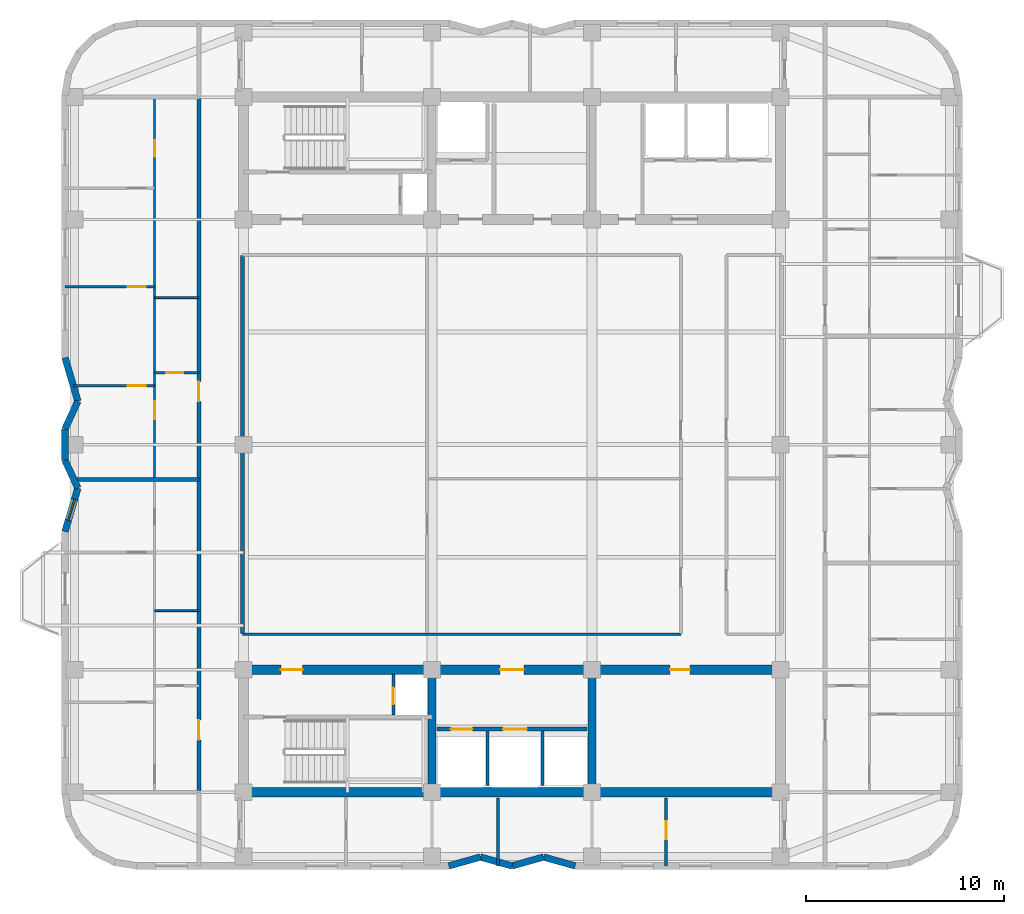
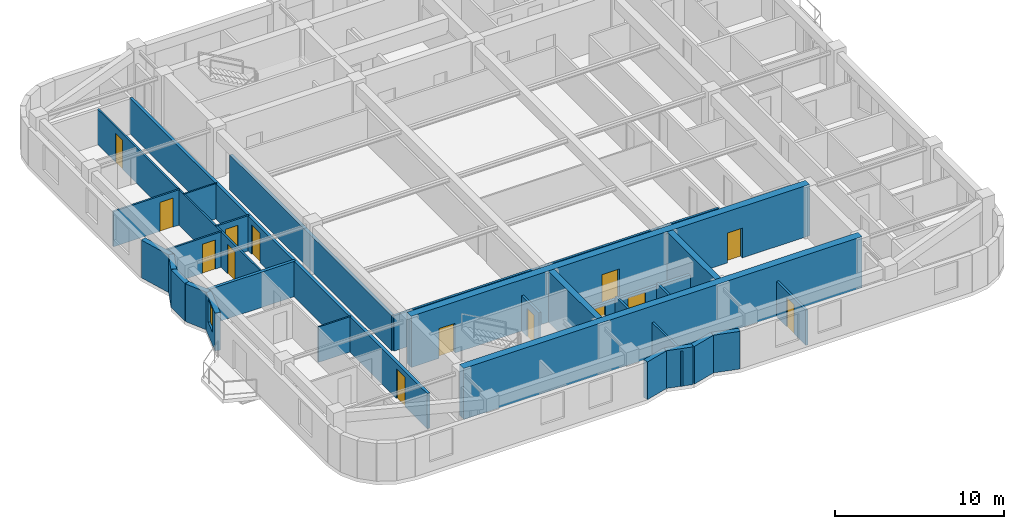
# One storey, part 3 of 9: 29 walls, 14 doors, 1 window, 15 openings.
"""IFC4 building model written with IfcOpenShell, lengths in metres."""

from ifc_helpers import new_model, si_unit, direction, frame, frame_2d, origin, place, context, subcontext, project, spatial, rectangle, extrude, material, layer, layer_set, type_object, element, fill, save


model = new_model("IFC4")

# Units and contexts
model_context = context("Model", 3, precision=1e-05, world=origin(), true_north=direction((0.0, 1.0)))
body_context = subcontext(model_context, "Body", "Model", "MODEL_VIEW")
ifc_project = project(units=[si_unit("LENGTHUNIT", "METRE"), si_unit("AREAUNIT", "SQUARE_METRE"), si_unit("VOLUMEUNIT", "CUBIC_METRE"), si_unit("PLANEANGLEUNIT", "RADIAN"), si_unit("MASSUNIT", "GRAM", prefix="KILO")], contexts=[model_context])

# Site, building, storey
site_placement = place(None, origin())
site = spatial("IfcSite", under=ifc_project, at=site_placement, CompositionType="ELEMENT")
building_placement = place(site_placement, origin())
building = spatial("IfcBuilding", under=site, at=building_placement, Name="Svetorya Sky Lyceum", CompositionType="ELEMENT")
storey_placement = place(building_placement, frame((0.0, 0.0, 207.300048828125)))
storey = spatial("IfcBuildingStorey", under=building, at=storey_placement, Name="L51", CompositionType="ELEMENT", Elevation=207.300048828125)

# Walls
ifc_material_1 = material(Name="Concrete C40/50", Category="concrete")
ifc_layer_1 = layer(ifc_material_1, 0.39990234375)
ifc_layer_set_1 = layer_set([ifc_layer_1], Name="Concrete C40/50")
wall_type_1 = type_object("IfcWallType", Name="WL-CORE-400", PredefinedType="SHEAR", material=ifc_layer_set_1)
for number, where, z_axis, x_axis, name in (
    (1, (35.14990234375, 10.85009765625, 0.0), (0.0, 0.0, 1.0), (0.0, 1.0, 0.0), "L51 SC Internal Shear Web WEB1"),
    (2, (43.25, 10.85009765625, 0.0), (0.0, 0.0, 1.0), (0.0, 1.0, 0.0), "L51 SC Internal Shear Web WEB2"),
):
    element("IfcWall", number, at=place(storey_placement, frame(where, z_axis=z_axis, x_axis=x_axis)), inside=storey, type_object=wall_type_1, Name=name, PredefinedType="SHEAR", context=body_context, shape_type="SweptSolid", body=[
        extrude(rectangle(XDim=5.699951171875, YDim=0.39990234375, at=frame_2d((2.85009765625, 0.0))), origin(), (0.0, 0.0, 1.0), 3.699951171875),
    ])
ifc_material_2 = material(Name="Concrete C50/60", Category="concrete")
ifc_layer_2 = layer(ifc_material_2, 0.5)
ifc_layer_set_2 = layer_set([ifc_layer_2], Name="Concrete C50/60")
wall_type_2 = type_object("IfcWallType", Name="WL-CORE-500", PredefinedType="SHEAR", material=ifc_layer_set_2)
wall_1_placement = place(storey_placement, frame((52.800048828125, 10.60009765625, 0.0), z_axis=(0.0, 0.0, 1.0), x_axis=(-1.0, 0.0, 0.0)))
element("IfcWall", 3, at=wall_1_placement, inside=storey, type_object=wall_type_2, Name="L51 SC Outer Core Shear Wall", PredefinedType="SHEAR", context=body_context, shape_type="SweptSolid", body=[
    extrude(rectangle(XDim=27.199951171875, YDim=0.5, at=frame_2d((13.60009765625, 0.0))), origin(), (0.0, 0.0, 1.0), 3.699951171875),
])

# Wall, openings, doors
wall_2_placement = place(storey_placement, frame((25.60009765625, 16.800048828125, 0.0), z_axis=(0.0, 0.0, 1.0), x_axis=(1.0, 0.0, 0.0)))
wall_2 = element("IfcWall", 4, at=wall_2_placement, inside=storey, type_object=wall_type_2, Name="L51 SC Inner Core Shear Wall", PredefinedType="SHEAR", context=body_context, shape_type="SweptSolid", body=[
    extrude(rectangle(XDim=27.199951171875, YDim=0.5, at=frame_2d((13.60009765625, 0.0))), origin(), (0.0, 0.0, 1.0), 3.699951171875),
])
opening_1_placement = place(wall_2_placement, frame((1.89990234375, 0.0, 0.0)))
opening_1 = element("IfcOpeningElement", 5, at=opening_1_placement, cuts=wall_2, Name="Opening D-ST1", PredefinedType="OPENING", context=body_context, shape_type="SweptSolid", body=[
    extrude(rectangle(XDim=1.10009765625, YDim=2.14990234375, at=frame_2d((0.550048828125, 1.074951171875))), frame((0.0, 0.260009765625, 0.0), z_axis=(0.0, -1.0, 0.0), x_axis=(1.0, 0.0, 0.0)), (0.0, 0.0, 1.0), 0.52001953125),
])
opening_2_placement = place(wall_2_placement, frame((13.0, 0.0, 0.0)))
opening_2 = element("IfcOpeningElement", 6, at=opening_2_placement, cuts=wall_2, Name="Opening D-FL1", PredefinedType="OPENING", context=body_context, shape_type="SweptSolid", body=[
    extrude(rectangle(XDim=1.199951171875, YDim=2.14990234375, at=frame_2d((0.60009765625, 1.074951171875))), frame((0.0, 0.260009765625, 0.0), z_axis=(0.0, -1.0, 0.0), x_axis=(1.0, 0.0, 0.0)), (0.0, 0.0, 1.0), 0.52001953125),
])
opening_3_placement = place(wall_2_placement, frame((21.60009765625, 0.0, 0.0)))
opening_3 = element("IfcOpeningElement", 7, at=opening_3_placement, cuts=wall_2, Name="Opening D-RM2", PredefinedType="OPENING", context=body_context, shape_type="SweptSolid", body=[
    extrude(rectangle(XDim=1.0, YDim=2.14990234375, at=frame_2d((0.5, 1.074951171875))), frame((0.0, 0.260009765625, 0.0), z_axis=(0.0, -1.0, 0.0), x_axis=(1.0, 0.0, 0.0)), (0.0, 0.0, 1.0), 0.52001953125),
])
ifc_material_3 = material(Name="Powder-coated insulated galvanized stair fire door")
door_type_1 = type_object("IfcDoorType", Name="DR-FIRE-1100", OperationType="SINGLE_SWING_LEFT", PredefinedType="DOOR", material=ifc_material_3)
door_1_placement = place(opening_1_placement, origin())
door_1 = element("IfcDoor", 8, at=door_1_placement, inside=storey, type_object=door_type_1, Name="L51 South Stair Airlock Door", OperationType="SINGLE_SWING_RIGHT", OverallHeight=2.14990234375, OverallWidth=1.10009765625, PredefinedType="DOOR", context=body_context, shape_type="SweptSolid", body=[
    extrude(rectangle(XDim=1.10009765625, YDim=2.14990234375, at=frame_2d((0.550048828125, 1.074951171875))), frame((0.0, 0.02490234375, 0.0), z_axis=(0.0, -1.0, 0.0), x_axis=(1.0, 0.0, 0.0)), (0.0, 0.0, 1.0), 0.050048828125),
])
fill(opening_1, door_1)
ifc_material_4 = material(Name="Powder-coated insulated galvanized fire door")
door_type_2 = type_object("IfcDoorType", Name="DR-FIRE-1200", OperationType="SINGLE_SWING_LEFT", PredefinedType="DOOR", material=ifc_material_4)
door_2_placement = place(opening_2_placement, origin())
door_2 = element("IfcDoor", 9, at=door_2_placement, inside=storey, type_object=door_type_2, Name="L51 South Firefighting Lift Lobby Door", OperationType="SINGLE_SWING_LEFT", OverallHeight=2.14990234375, OverallWidth=1.199951171875, PredefinedType="DOOR", context=body_context, shape_type="SweptSolid", body=[
    extrude(rectangle(XDim=1.199951171875, YDim=2.14990234375, at=frame_2d((0.60009765625, 1.074951171875))), frame((0.0, 0.02490234375, 0.0), z_axis=(0.0, -1.0, 0.0), x_axis=(1.0, 0.0, 0.0)), (0.0, 0.0, 1.0), 0.050048828125),
])
fill(opening_2, door_2)
ifc_material_5 = material(Name="Solid-core oak acoustic room door")
door_type_3 = type_object("IfcDoorType", Name="DR-INT-1000", OperationType="SINGLE_SWING_LEFT", PredefinedType="DOOR", material=ifc_material_5)
door_3_placement = place(opening_3_placement, origin())
door_3 = element("IfcDoor", 10, at=door_3_placement, inside=storey, type_object=door_type_3, Name="L51 Trunk Store Door", OperationType="SINGLE_SWING_LEFT", OverallHeight=2.14990234375, OverallWidth=1.0, PredefinedType="DOOR", context=body_context, shape_type="SweptSolid", body=[
    extrude(rectangle(XDim=1.0, YDim=2.14990234375, at=frame_2d((0.5, 1.074951171875))), frame((0.0, 0.02490234375, 0.0), z_axis=(0.0, -1.0, 0.0), x_axis=(1.0, 0.0, 0.0)), (0.0, 0.0, 1.0), 0.050048828125),
])
fill(opening_3, door_3)

# Walls
ifc_material_6 = material(Name="Putilovo limestone rainscreen on autoclaved cellular masonry", Category="masonry")
ifc_layer_3 = layer(ifc_material_6, 0.340087890625)
ifc_layer_set_3 = layer_set([ifc_layer_3], Name="Putilovo limestone rainscreen on autoclaved cellular masonry")
wall_type_3 = type_object("IfcWallType", Name="WL-EXT-340", PredefinedType="SOLIDWALL", material=ifc_layer_set_3)
wall_3_placement = place(storey_placement, frame((36.0, 6.8701171875, 0.0), z_axis=(0.0, 0.0, 1.0), x_axis=(0.962662902433, 0.270703040766, 0.0)))
element("IfcWall", 11, at=wall_3_placement, inside=storey, type_object=wall_type_3, Name="L51 Limestone Exterior Wall 7M", PredefinedType="SOLIDWALL", context=body_context, shape_type="SweptSolid", body=[
    extrude(rectangle(XDim=1.662109375, YDim=0.340087890625, at=frame_2d((0.8310546875, 0.0))), origin(), (0.0, 0.0, 1.0), 2.719970703125),
])
wall_4_placement = place(storey_placement, frame((37.60009765625, 7.320068359375, 0.0), z_axis=(0.0, 0.0, 1.0), x_axis=(0.962652136636, -0.270741322725, 0.0)))
element("IfcWall", 12, at=wall_4_placement, inside=storey, type_object=wall_type_3, Name="L51 Limestone Exterior Wall 8M", PredefinedType="SOLIDWALL", context=body_context, shape_type="SweptSolid", body=[
    extrude(rectangle(XDim=1.661865234375, YDim=0.340087890625, at=frame_2d((0.8310546875, 0.0))), origin(), (0.0, 0.0, 1.0), 2.719970703125),
])
wall_5_placement = place(storey_placement, frame((39.199951171875, 6.8701171875, 0.0), z_axis=(0.0, 0.0, 1.0), x_axis=(0.962662902433, 0.270703040766, 0.0)))
element("IfcWall", 13, at=wall_5_placement, inside=storey, type_object=wall_type_3, Name="L51 Limestone Exterior Wall 9M", PredefinedType="SOLIDWALL", context=body_context, shape_type="SweptSolid", body=[
    extrude(rectangle(XDim=1.662109375, YDim=0.340087890625, at=frame_2d((0.8310546875, 0.0))), origin(), (0.0, 0.0, 1.0), 2.719970703125),
])
wall_6_placement = place(storey_placement, frame((40.800048828125, 7.320068359375, 0.0), z_axis=(0.0, 0.0, 1.0), x_axis=(0.962652136636, -0.270741322725, 0.0)))
element("IfcWall", 14, at=wall_6_placement, inside=storey, type_object=wall_type_3, Name="L51 Limestone Exterior Wall 10M", PredefinedType="SOLIDWALL", context=body_context, shape_type="SweptSolid", body=[
    extrude(rectangle(XDim=1.661865234375, YDim=0.340087890625, at=frame_2d((0.8310546875, 0.0))), origin(), (0.0, 0.0, 1.0), 2.719970703125),
])
wall_7_placement = place(storey_placement, frame((16.570068359375, 32.60009765625, 0.0), z_axis=(0.0, 0.0, 1.0), x_axis=(0.28328385701, -0.959036107953, 0.0)))
element("IfcWall", 15, at=wall_7_placement, inside=storey, type_object=wall_type_3, Name="L51 Limestone Exterior Wall 41M", PredefinedType="SOLIDWALL", context=body_context, shape_type="SweptSolid", body=[
    extrude(rectangle(XDim=2.294189453125, YDim=0.340087890625, at=frame_2d((1.14697265625, 0.0))), origin(), (0.0, 0.0, 1.0), 2.719970703125),
])
wall_8_placement = place(storey_placement, frame((17.219970703125, 30.39990234375, 0.0), z_axis=(0.0, 0.0, 1.0), x_axis=(-0.421083420882, -0.907021914101, 0.0)))
element("IfcWall", 16, at=wall_8_placement, inside=storey, type_object=wall_type_3, Name="L51 Limestone Exterior Wall 42M", PredefinedType="SOLIDWALL", context=body_context, shape_type="SweptSolid", body=[
    extrude(rectangle(XDim=1.54345703125, YDim=0.340087890625, at=frame_2d((0.771728515625, 0.0))), origin(), (0.0, 0.0, 1.0), 2.719970703125),
])
wall_9_placement = place(storey_placement, frame((16.570068359375, 29.0, 0.0), z_axis=(0.0, 0.0, 1.0), x_axis=(0.0, -1.0, 0.0)))
element("IfcWall", 17, at=wall_9_placement, inside=storey, type_object=wall_type_3, Name="L51 Limestone Exterior Wall 43M", PredefinedType="SOLIDWALL", context=body_context, shape_type="SweptSolid", body=[
    extrude(rectangle(XDim=1.60009765625, YDim=0.340087890625, at=frame_2d((0.800048828125, 0.0))), origin(), (0.0, 0.0, 1.0), 2.719970703125),
])
wall_10_placement = place(storey_placement, frame((16.570068359375, 27.39990234375, 0.0), z_axis=(0.0, 0.0, 1.0), x_axis=(0.421083420882, -0.907021914101, 0.0)))
element("IfcWall", 18, at=wall_10_placement, inside=storey, type_object=wall_type_3, Name="L51 Limestone Exterior Wall 44M", PredefinedType="SOLIDWALL", context=body_context, shape_type="SweptSolid", body=[
    extrude(rectangle(XDim=1.54345703125, YDim=0.340087890625, at=frame_2d((0.771728515625, 0.0))), origin(), (0.0, 0.0, 1.0), 2.719970703125),
])

# Wall, opening, window
wall_11_placement = place(storey_placement, frame((17.219970703125, 26.0, 0.0), z_axis=(0.0, 0.0, 1.0), x_axis=(-0.283312771328, -0.959027566654, 0.0)))
wall_11 = element("IfcWall", 19, at=wall_11_placement, inside=storey, type_object=wall_type_3, Name="L51 Limestone Exterior Wall 45M", PredefinedType="SOLIDWALL", context=body_context, shape_type="SweptSolid", body=[
    extrude(rectangle(XDim=2.2939453125, YDim=0.340087890625, at=frame_2d((1.14697265625, 0.0))), origin(), (0.0, 0.0, 1.0), 2.719970703125),
])
opening_4_placement = place(wall_11_placement, frame((0.596923828125, 0.0, 0.909912109375)))
opening_4 = element("IfcOpeningElement", 20, at=opening_4_placement, cuts=wall_11, Name="Opening W-R3", PredefinedType="OPENING", context=body_context, shape_type="SweptSolid", body=[
    extrude(rectangle(XDim=1.10009765625, YDim=1.64990234375, at=frame_2d((0.550048828125, 0.824951171875))), frame((0.0, 0.179931640625, 0.0), z_axis=(0.0, -1.0, 0.0), x_axis=(1.0, 0.0, 0.0)), (0.0, 0.0, 1.0), 0.360107421875),
])
ifc_material_7 = material(Name="Thermally broken aluminium frame with triple low-E glazing", Category="aluminium")
window_type = type_object("IfcWindowType", Name="WN-RES-110", PartitioningType="SINGLE_PANEL", PredefinedType="WINDOW", material=ifc_material_7)
window_placement = place(opening_4_placement, origin())
window = element("IfcWindow", 21, at=window_placement, inside=storey, type_object=window_type, Name="L51 Facade Window W-R3.45M.1", OverallHeight=1.64990234375, OverallWidth=1.10009765625, PartitioningType="SINGLE_PANEL", PredefinedType="WINDOW", context=body_context, shape_type="SweptSolid", body=[
    extrude(rectangle(XDim=1.10009765625, YDim=1.64990234375, at=frame_2d((0.550048828125, 0.824951171875))), frame((0.0, 0.030029296875, 0.0), z_axis=(0.0, -1.0, 0.0), x_axis=(1.0, 0.0, 0.0)), (0.0, 0.0, 1.0), 0.06005859375),
])
fill(opening_4, window)

# Walls
ifc_material_8 = material(Name="Galvanized stud partition with moisture-resistant board", Category="gypsum")
ifc_layer_4 = layer(ifc_material_8, 0.10009765625)
ifc_layer_set_4 = layer_set([ifc_layer_4], Name="Galvanized stud partition with moisture-resistant board")
wall_type_4 = type_object("IfcWallType", Name="WL-PART-100", PredefinedType="PARTITIONING", material=ifc_layer_set_4)
for number, where, z_axis, x_axis, name in (
    (22, (21.10009765625, 19.800048828125, 0.0), (0.0, 0.0, 1.0), (1.0, 0.0, 0.0), "L51 Interior Partition W1-WH2"),
    (23, (21.10009765625, 35.639892578125, 0.0), (0.0, 0.0, 1.0), (1.0, 0.0, 0.0), "L51 Interior Partition W2-WH2"),
):
    element("IfcWall", number, at=place(storey_placement, frame(where, z_axis=z_axis, x_axis=x_axis)), inside=storey, type_object=wall_type_4, Name=name, PredefinedType="PARTITIONING", context=body_context, shape_type="SweptSolid", body=[
        extrude(rectangle(XDim=2.25, YDim=0.10009765625, at=frame_2d((1.125, 0.0))), origin(), (0.0, 0.0, 1.0), 2.550048828125),
    ])

# Wall, opening, door
ifc_material_9 = material(Name="Twin-stud galvanized framing with double fireboard", Category="gypsum")
ifc_layer_5 = layer(ifc_material_9, 0.1201171875)
ifc_layer_set_5 = layer_set([ifc_layer_5], Name="Twin-stud galvanized framing with double fireboard")
wall_type_5 = type_object("IfcWallType", Name="WL-PART-120", PredefinedType="PARTITIONING", material=ifc_layer_set_5)
wall_12_placement = place(storey_placement, frame((21.10009765625, 31.840087890625, 0.0), z_axis=(0.0, 0.0, 1.0), x_axis=(1.0, 0.0, 0.0)))
wall_12 = element("IfcWall", 24, at=wall_12_placement, inside=storey, type_object=wall_type_5, Name="L51 Interior Partition W2-WH1", PredefinedType="PARTITIONING", context=body_context, shape_type="SweptSolid", body=[
    extrude(rectangle(XDim=2.25, YDim=0.1201171875, at=frame_2d((1.125, 0.0))), origin(), (0.0, 0.0, 1.0), 2.550048828125),
])
opening_5_placement = place(wall_12_placement, frame((0.60009765625, 0.0, 0.0)))
opening_5 = element("IfcOpeningElement", 25, at=opening_5_placement, cuts=wall_12, Name="Opening D-BT1", PredefinedType="OPENING", context=body_context, shape_type="SweptSolid", body=[
    extrude(rectangle(XDim=0.85009765625, YDim=2.10009765625, at=frame_2d((0.425048828125, 1.050048828125))), frame((0.0, 0.070068359375, 0.0), z_axis=(0.0, -1.0, 0.0), x_axis=(1.0, 0.0, 0.0)), (0.0, 0.0, 1.0), 0.14013671875),
])
ifc_material_10 = material(Name="Moisture-resistant laminate bathroom door")
door_type_4 = type_object("IfcDoorType", Name="DR-WET-850", OperationType="SINGLE_SWING_LEFT", PredefinedType="DOOR", material=ifc_material_10)
door_4_placement = place(opening_5_placement, origin())
door_4 = element("IfcDoor", 26, at=door_4_placement, inside=storey, type_object=door_type_4, Name="Apartment W2 Bathroom Door", OperationType="SINGLE_SWING_RIGHT", OverallHeight=2.10009765625, OverallWidth=0.85009765625, PredefinedType="DOOR", context=body_context, shape_type="SweptSolid", body=[
    extrude(rectangle(XDim=0.85009765625, YDim=2.10009765625, at=frame_2d((0.425048828125, 1.050048828125))), frame((0.0, 0.02490234375, 0.0), z_axis=(0.0, -1.0, 0.0), x_axis=(1.0, 0.0, 0.0)), (0.0, 0.0, 1.0), 0.050048828125),
])
fill(opening_5, door_4)

wall_13_placement = place(storey_placement, frame((16.986572265625, 31.18994140625, 0.0), z_axis=(0.0, 0.0, 1.0), x_axis=(1.0, 0.0, 0.0)))
wall_13 = element("IfcWall", 27, at=wall_13_placement, inside=storey, type_object=wall_type_5, Name="L51 Interior Partition W2-WL1", PredefinedType="PARTITIONING", context=body_context, shape_type="SweptSolid", body=[
    extrude(rectangle(XDim=4.113525390625, YDim=0.1201171875, at=frame_2d((2.056640625, 0.0))), origin(), (0.0, 0.0, 1.0), 2.550048828125),
])
opening_6_placement = place(wall_13_placement, frame((2.763427734375, 0.0, 0.0)))
opening_6 = element("IfcOpeningElement", 28, at=opening_6_placement, cuts=wall_13, Name="Opening D-RM1", PredefinedType="OPENING", context=body_context, shape_type="SweptSolid", body=[
    extrude(rectangle(XDim=0.89990234375, YDim=2.10009765625, at=frame_2d((0.449951171875, 1.050048828125))), frame((0.0, 0.070068359375, 0.0), z_axis=(0.0, -1.0, 0.0), x_axis=(1.0, 0.0, 0.0)), (0.0, 0.0, 1.0), 0.14013671875),
])
ifc_material_11 = material(Name="Lacquered birch veneer internal door")
door_type_5 = type_object("IfcDoorType", Name="DR-INT-900", OperationType="SINGLE_SWING_LEFT", PredefinedType="DOOR", material=ifc_material_11)
door_5_placement = place(opening_6_placement, origin())
door_5 = element("IfcDoor", 29, at=door_5_placement, inside=storey, type_object=door_type_5, Name="Apartment W2 Master Bedroom Door", OperationType="SINGLE_SWING_RIGHT", OverallHeight=2.10009765625, OverallWidth=0.89990234375, PredefinedType="DOOR", context=body_context, shape_type="SweptSolid", body=[
    extrude(rectangle(XDim=0.89990234375, YDim=2.10009765625, at=frame_2d((0.449951171875, 1.050048828125))), frame((0.0, 0.02490234375, 0.0), z_axis=(0.0, -1.0, 0.0), x_axis=(1.0, 0.0, 0.0)), (0.0, 0.0, 1.0), 0.050048828125),
])
fill(opening_6, door_5)

wall_14_placement = place(storey_placement, frame((16.570068359375, 36.18994140625, 0.0), z_axis=(0.0, 0.0, 1.0), x_axis=(1.0, 0.0, 0.0)))
wall_14 = element("IfcWall", 30, at=wall_14_placement, inside=storey, type_object=wall_type_5, Name="L51 Interior Partition W2-WL2", PredefinedType="PARTITIONING", context=body_context, shape_type="SweptSolid", body=[
    extrude(rectangle(XDim=4.530029296875, YDim=0.1201171875, at=frame_2d((2.26513671875, 0.0))), origin(), (0.0, 0.0, 1.0), 2.550048828125),
])
opening_7_placement = place(wall_14_placement, frame((3.179931640625, 0.0, 0.0)))
opening_7 = element("IfcOpeningElement", 31, at=opening_7_placement, cuts=wall_14, Name="Opening D-RM1", PredefinedType="OPENING", context=body_context, shape_type="SweptSolid", body=[
    extrude(rectangle(XDim=0.89990234375, YDim=2.10009765625, at=frame_2d((0.449951171875, 1.050048828125))), frame((0.0, 0.070068359375, 0.0), z_axis=(0.0, -1.0, 0.0), x_axis=(1.0, 0.0, 0.0)), (0.0, 0.0, 1.0), 0.14013671875),
])
door_6_placement = place(opening_7_placement, origin())
door_6 = element("IfcDoor", 32, at=door_6_placement, inside=storey, type_object=door_type_5, Name="Apartment W2 Bedroom 2 Door", OperationType="SINGLE_SWING_LEFT", OverallHeight=2.10009765625, OverallWidth=0.89990234375, PredefinedType="DOOR", context=body_context, shape_type="SweptSolid", body=[
    extrude(rectangle(XDim=0.89990234375, YDim=2.10009765625, at=frame_2d((0.449951171875, 1.050048828125))), frame((0.0, 0.02490234375, 0.0), z_axis=(0.0, -1.0, 0.0), x_axis=(1.0, 0.0, 0.0)), (0.0, 0.0, 1.0), 0.050048828125),
])
fill(opening_7, door_6)

# Wall, openings, doors
wall_15_placement = place(storey_placement, frame((21.10009765625, 26.47998046875, 0.0), z_axis=(0.0, 0.0, 1.0), x_axis=(0.0, 1.0, 0.0)))
wall_15 = element("IfcWall", 33, at=wall_15_placement, inside=storey, type_object=wall_type_5, Name="L51 Interior Partition W2-WV", PredefinedType="PARTITIONING", context=body_context, shape_type="SweptSolid", body=[
    extrude(rectangle(XDim=19.280029296875, YDim=0.1201171875, at=frame_2d((9.64013671875, 0.0))), origin(), (0.0, 0.0, 1.0), 2.550048828125),
])
opening_8_placement = place(wall_15_placement, frame((3.010009765625, 0.0, 0.0)))
opening_8 = element("IfcOpeningElement", 34, at=opening_8_placement, cuts=wall_15, Name="Opening D-RM1", PredefinedType="OPENING", context=body_context, shape_type="SweptSolid", body=[
    extrude(rectangle(XDim=0.89990234375, YDim=2.10009765625, at=frame_2d((0.449951171875, 1.050048828125))), frame((0.0, 0.070068359375, 0.0), z_axis=(0.0, -1.0, 0.0), x_axis=(1.0, 0.0, 0.0)), (0.0, 0.0, 1.0), 0.14013671875),
])
opening_9_placement = place(wall_15_placement, frame((16.30810546875, 0.0, 0.0)))
opening_9 = element("IfcOpeningElement", 35, at=opening_9_placement, cuts=wall_15, Name="Opening D-BT2", PredefinedType="OPENING", context=body_context, shape_type="SweptSolid", body=[
    extrude(rectangle(XDim=0.820068359375, YDim=2.080078125, at=frame_2d((0.41015625, 1.0400390625))), frame((0.0, 0.070068359375, 0.0), z_axis=(0.0, -1.0, 0.0), x_axis=(1.0, 0.0, 0.0)), (0.0, 0.0, 1.0), 0.14013671875),
])
door_7_placement = place(opening_8_placement, origin())
door_7 = element("IfcDoor", 36, at=door_7_placement, inside=storey, type_object=door_type_5, Name="Apartment W2 Living Door", OperationType="SINGLE_SWING_LEFT", OverallHeight=2.10009765625, OverallWidth=0.89990234375, PredefinedType="DOOR", context=body_context, shape_type="SweptSolid", body=[
    extrude(rectangle(XDim=0.89990234375, YDim=2.10009765625, at=frame_2d((0.449951171875, 1.050048828125))), frame((0.0, 0.02490234375, 0.0), z_axis=(0.0, -1.0, 0.0), x_axis=(1.0, 0.0, 0.0)), (0.0, 0.0, 1.0), 0.050048828125),
])
fill(opening_8, door_7)
ifc_material_12 = material(Name="Compact moisture-resistant laminate closet door")
door_type_6 = type_object("IfcDoorType", Name="DR-WET-820", OperationType="SINGLE_SWING_LEFT", PredefinedType="DOOR", material=ifc_material_12)
door_8_placement = place(opening_9_placement, origin())
door_8 = element("IfcDoor", 37, at=door_8_placement, inside=storey, type_object=door_type_6, Name="Apartment W2 Study Door", OperationType="SINGLE_SWING_RIGHT", OverallHeight=2.080078125, OverallWidth=0.820068359375, PredefinedType="DOOR", context=body_context, shape_type="SweptSolid", body=[
    extrude(rectangle(XDim=0.820068359375, YDim=2.080078125, at=frame_2d((0.41015625, 1.0400390625))), frame((0.0, 0.02490234375, 0.0), z_axis=(0.0, -1.0, 0.0), x_axis=(1.0, 0.0, 0.0)), (0.0, 0.0, 1.0), 0.050048828125),
])
fill(opening_9, door_8)

# Wall, opening, door
ifc_material_13 = material(Name="Autoclaved cellular masonry blockwork with acoustic render", Category="masonry")
ifc_layer_6 = layer(ifc_material_13, 0.14990234375)
ifc_layer_set_6 = layer_set([ifc_layer_6], Name="Autoclaved cellular masonry blockwork with acoustic render")
wall_type_6 = type_object("IfcWallType", Name="WL-PART-150", PredefinedType="PARTITIONING", material=ifc_layer_set_6)
wall_16_placement = place(storey_placement, frame((33.199951171875, 14.5, 0.0), z_axis=(0.0, 0.0, 1.0), x_axis=(0.0, 1.0, 0.0)))
wall_16 = element("IfcWall", 38, at=wall_16_placement, inside=storey, type_object=wall_type_6, Name="L51 Interior Partition SC-AIRDIV", PredefinedType="PARTITIONING", context=body_context, shape_type="SweptSolid", body=[
    extrude(rectangle(XDim=2.080078125, YDim=0.14990234375, at=frame_2d((1.0400390625, 0.0))), origin(), (0.0, 0.0, 1.0), 2.550048828125),
])
opening_10_placement = place(wall_16_placement, frame((0.550048828125, 0.0, 0.0)))
opening_10 = element("IfcOpeningElement", 39, at=opening_10_placement, cuts=wall_16, Name="Opening D-SH1", PredefinedType="OPENING", context=body_context, shape_type="SweptSolid", body=[
    extrude(rectangle(XDim=0.85009765625, YDim=2.050048828125, at=frame_2d((0.425048828125, 1.02490234375))), frame((0.0, 0.0849609375, 0.0), z_axis=(0.0, -1.0, 0.0), x_axis=(1.0, 0.0, 0.0)), (0.0, 0.0, 1.0), 0.169921875),
])
ifc_material_14 = material(Name="Insulated galvanized riser inspection fire door")
door_type_7 = type_object("IfcDoorType", Name="DR-SHFT-850", OperationType="SINGLE_SWING_LEFT", PredefinedType="TRAPDOOR", material=ifc_material_14)
door_9_placement = place(opening_10_placement, origin())
door_9 = element("IfcDoor", 40, at=door_9_placement, inside=storey, type_object=door_type_7, Name="L51 South Riser Access Door", OperationType="SINGLE_SWING_RIGHT", OverallHeight=2.050048828125, OverallWidth=0.85009765625, PredefinedType="TRAPDOOR", context=body_context, shape_type="SweptSolid", body=[
    extrude(rectangle(XDim=0.85009765625, YDim=2.050048828125, at=frame_2d((0.425048828125, 1.02490234375))), frame((0.0, 0.02490234375, 0.0), z_axis=(0.0, -1.0, 0.0), x_axis=(1.0, 0.0, 0.0)), (0.0, 0.0, 1.0), 0.050048828125),
])
fill(opening_10, door_9)

# Walls
for number, where, z_axis, x_axis, name in (
    (41, (37.949951171875, 10.949951171875, 0.0), (0.0, 0.0, 1.0), (0.0, 1.0, 0.0), "L51 Interior Partition SC-SHD1"),
    (42, (40.75, 10.949951171875, 0.0), (0.0, 0.0, 1.0), (0.0, 1.0, 0.0), "L51 Interior Partition SC-SHD2"),
):
    element("IfcWall", number, at=place(storey_placement, frame(where, z_axis=z_axis, x_axis=x_axis)), inside=storey, type_object=wall_type_6, Name=name, PredefinedType="PARTITIONING", context=body_context, shape_type="SweptSolid", body=[
        extrude(rectangle(XDim=2.75, YDim=0.14990234375, at=frame_2d((1.375, 0.0))), origin(), (0.0, 0.0, 1.0), 2.550048828125),
    ])
wall_17_placement = place(storey_placement, frame((25.550048828125, 18.60009765625, 0.0), z_axis=(0.0, 0.0, 1.0), x_axis=(1.0, 0.0, 0.0)))
element("IfcWall", 43, at=wall_17_placement, inside=storey, type_object=wall_type_6, Name="L51 Interior Partition OFF-CS-W", PredefinedType="PARTITIONING", context=body_context, shape_type="SweptSolid", body=[
    extrude(rectangle(XDim=22.199951171875, YDim=0.14990234375, at=frame_2d((11.10009765625, 0.0))), origin(), (0.0, 0.0, 1.0), 2.550048828125),
])
wall_18_placement = place(storey_placement, frame((38.5, 6.8701171875, 0.0), z_axis=(0.0, 0.0, 1.0), x_axis=(0.0, 1.0, 0.0)))
element("IfcWall", 44, at=wall_18_placement, inside=storey, type_object=wall_type_6, Name="L51 Interior Partition S4-D2", PredefinedType="PARTITIONING", context=body_context, shape_type="SweptSolid", body=[
    extrude(rectangle(XDim=3.429931640625, YDim=0.14990234375, at=frame_2d((1.71484375, 0.0))), origin(), (0.0, 0.0, 1.0), 2.550048828125),
])

# Wall, opening, door
wall_19_placement = place(storey_placement, frame((47.0, 6.8701171875, 0.0), z_axis=(0.0, 0.0, 1.0), x_axis=(0.0, 1.0, 0.0)))
wall_19 = element("IfcWall", 45, at=wall_19_placement, inside=storey, type_object=wall_type_6, Name="L51 Interior Partition S4-D3", PredefinedType="PARTITIONING", context=body_context, shape_type="SweptSolid", body=[
    extrude(rectangle(XDim=3.429931640625, YDim=0.14990234375, at=frame_2d((1.71484375, 0.0))), origin(), (0.0, 0.0, 1.0), 2.550048828125),
])
opening_11_placement = place(wall_19_placement, frame((1.35009765625, 0.0, 0.0)))
opening_11 = element("IfcOpeningElement", 46, at=opening_11_placement, cuts=wall_19, Name="Opening D-RM1", PredefinedType="OPENING", context=body_context, shape_type="SweptSolid", body=[
    extrude(rectangle(XDim=0.89990234375, YDim=2.10009765625, at=frame_2d((0.449951171875, 1.050048828125))), frame((0.0, 0.0849609375, 0.0), z_axis=(0.0, -1.0, 0.0), x_axis=(1.0, 0.0, 0.0)), (0.0, 0.0, 1.0), 0.169921875),
])
door_10_placement = place(opening_11_placement, origin())
door_10 = element("IfcDoor", 47, at=door_10_placement, inside=storey, type_object=door_type_5, Name="L51 South Suite Door 3", OperationType="SINGLE_SWING_LEFT", OverallHeight=2.10009765625, OverallWidth=0.89990234375, PredefinedType="DOOR", context=body_context, shape_type="SweptSolid", body=[
    extrude(rectangle(XDim=0.89990234375, YDim=2.10009765625, at=frame_2d((0.449951171875, 1.050048828125))), frame((0.0, 0.02490234375, 0.0), z_axis=(0.0, -1.0, 0.0), x_axis=(1.0, 0.0, 0.0)), (0.0, 0.0, 1.0), 0.050048828125),
])
fill(opening_11, door_10)

# Wall, openings, doors
ifc_material_15 = material(Name="Autoclaved cellular masonry blockwork with gypsum plaster", Category="masonry")
ifc_layer_7 = layer(ifc_material_15, 0.199951171875)
ifc_layer_set_7 = layer_set([ifc_layer_7], Name="Autoclaved cellular masonry blockwork with gypsum plaster")
wall_type_7 = type_object("IfcWallType", Name="WL-PART-200", PredefinedType="PARTITIONING", material=ifc_layer_set_7)
wall_20_placement = place(storey_placement, frame((35.39990234375, 13.800048828125, 0.0), z_axis=(0.0, 0.0, 1.0), x_axis=(1.0, 0.0, 0.0)))
wall_20 = element("IfcWall", 48, at=wall_20_placement, inside=storey, type_object=wall_type_7, Name="L51 Interior Partition SC-FLW", PredefinedType="PARTITIONING", context=body_context, shape_type="SweptSolid", body=[
    extrude(rectangle(XDim=7.60009765625, YDim=0.199951171875, at=frame_2d((3.800048828125, 0.0))), origin(), (0.0, 0.0, 1.0), 2.320068359375),
])
opening_12_placement = place(wall_20_placement, frame((0.699951171875, 0.0, 0.0)))
opening_12 = element("IfcOpeningElement", 49, at=opening_12_placement, cuts=wall_20, Name="Opening LD-FL", PredefinedType="OPENING", context=body_context, shape_type="SweptSolid", body=[
    extrude(rectangle(XDim=1.10009765625, YDim=2.14990234375, at=frame_2d((0.550048828125, 1.074951171875))), frame((0.0, 0.10986328125, 0.0), z_axis=(0.0, -1.0, 0.0), x_axis=(1.0, 0.0, 0.0)), (0.0, 0.0, 1.0), 0.219970703125),
])
opening_13_placement = place(wall_20_placement, frame((3.35009765625, 0.0, 0.0)))
opening_13 = element("IfcOpeningElement", 50, at=opening_13_placement, cuts=wall_20, Name="Opening LD-SV", PredefinedType="OPENING", context=body_context, shape_type="SweptSolid", body=[
    extrude(rectangle(XDim=1.199951171875, YDim=2.14990234375, at=frame_2d((0.60009765625, 1.074951171875))), frame((0.0, 0.10986328125, 0.0), z_axis=(0.0, -1.0, 0.0), x_axis=(1.0, 0.0, 0.0)), (0.0, 0.0, 1.0), 0.219970703125),
])
ifc_material_16 = material(Name="Fire-rated stainless AISI 304 firefighting lift landing door")
door_type_8 = type_object("IfcDoorType", Name="DR-LIFT-1100", OperationType="SLIDING_TO_LEFT", PredefinedType="DOOR", material=ifc_material_16)
door_11_placement = place(opening_12_placement, origin())
door_11 = element("IfcDoor", 51, at=door_11_placement, inside=storey, type_object=door_type_8, Name="L51 Firefighting Lift FL2 Landing Door", OperationType="SLIDING_TO_LEFT", OverallHeight=2.14990234375, OverallWidth=1.10009765625, PredefinedType="DOOR", context=body_context, shape_type="SweptSolid", body=[
    extrude(rectangle(XDim=1.10009765625, YDim=2.14990234375, at=frame_2d((0.550048828125, 1.074951171875))), frame((0.0, 0.02490234375, 0.0), z_axis=(0.0, -1.0, 0.0), x_axis=(1.0, 0.0, 0.0)), (0.0, 0.0, 1.0), 0.050048828125),
])
fill(opening_12, door_11)
ifc_material_17 = material(Name="Brushed stainless AISI 304 telescopic lift landing door")
door_type_9 = type_object("IfcDoorType", Name="DR-LIFT-1200", OperationType="SLIDING_TO_LEFT", PredefinedType="DOOR", material=ifc_material_17)
door_12_placement = place(opening_13_placement, origin())
door_12 = element("IfcDoor", 52, at=door_12_placement, inside=storey, type_object=door_type_9, Name="L51 Service Lift SVL1 Landing Door", OperationType="SLIDING_TO_LEFT", OverallHeight=2.14990234375, OverallWidth=1.199951171875, PredefinedType="DOOR", context=body_context, shape_type="SweptSolid", body=[
    extrude(rectangle(XDim=1.199951171875, YDim=2.14990234375, at=frame_2d((0.60009765625, 1.074951171875))), frame((0.0, 0.02490234375, 0.0), z_axis=(0.0, -1.0, 0.0), x_axis=(1.0, 0.0, 0.0)), (0.0, 0.0, 1.0), 0.050048828125),
])
fill(opening_13, door_12)

# Walls
wall_21_placement = place(storey_placement, frame((25.550048828125, 18.6298828125, 0.0), z_axis=(0.0, 0.0, 1.0), x_axis=(0.0, 1.0, 0.0)))
element("IfcWall", 53, at=wall_21_placement, inside=storey, type_object=wall_type_7, Name="L51 Interior Partition W-CEN-SEP", PredefinedType="PARTITIONING", context=body_context, shape_type="SweptSolid", body=[
    extrude(rectangle(XDim=19.14013671875, YDim=0.199951171875, at=frame_2d((9.570068359375, 0.0))), origin(), (0.0, 0.0, 1.0), 2.550048828125),
])
wall_22_placement = place(storey_placement, frame((17.015625, 26.43994140625, 0.0), z_axis=(0.0, 0.0, 1.0), x_axis=(1.0, 0.0, 0.0)))
element("IfcWall", 54, at=wall_22_placement, inside=storey, type_object=wall_type_7, Name="L51 Interior Partition W-PARTY-1", PredefinedType="PARTITIONING", context=body_context, shape_type="SweptSolid", body=[
    extrude(rectangle(XDim=6.33447265625, YDim=0.199951171875, at=frame_2d((3.167236328125, 0.0))), origin(), (0.0, 0.0, 1.0), 2.550048828125),
])

# Wall, openings, doors
wall_23_placement = place(storey_placement, frame((23.35009765625, 10.60009765625, 0.0), z_axis=(0.0, 0.0, 1.0), x_axis=(0.0, 1.0, 0.0)))
wall_23 = element("IfcWall", 55, at=wall_23_placement, inside=storey, type_object=wall_type_7, Name="L51 Interior Partition W-CORRW", PredefinedType="PARTITIONING", context=body_context, shape_type="SweptSolid", body=[
    extrude(rectangle(XDim=35.199951171875, YDim=0.199951171875, at=frame_2d((17.60009765625, 0.0))), origin(), (0.0, 0.0, 1.0), 2.550048828125),
])
opening_14_placement = place(wall_23_placement, frame((2.64990234375, 0.0, 0.0)))
opening_14 = element("IfcOpeningElement", 56, at=opening_14_placement, cuts=wall_23, Name="Opening D-APT1", PredefinedType="OPENING", context=body_context, shape_type="SweptSolid", body=[
    extrude(rectangle(XDim=1.0, YDim=2.14990234375, at=frame_2d((0.5, 1.074951171875))), frame((0.0, 0.10986328125, 0.0), z_axis=(0.0, -1.0, 0.0), x_axis=(1.0, 0.0, 0.0)), (0.0, 0.0, 1.0), 0.219970703125),
])
opening_15_placement = place(wall_23_placement, frame((19.7900390625, 0.0, 0.0)))
opening_15 = element("IfcOpeningElement", 57, at=opening_15_placement, cuts=wall_23, Name="Opening D-APT1", PredefinedType="OPENING", context=body_context, shape_type="SweptSolid", body=[
    extrude(rectangle(XDim=1.0, YDim=2.14990234375, at=frame_2d((0.5, 1.074951171875))), frame((0.0, 0.10986328125, 0.0), z_axis=(0.0, -1.0, 0.0), x_axis=(1.0, 0.0, 0.0)), (0.0, 0.0, 1.0), 0.219970703125),
])
ifc_material_18 = material(Name="Insulated oak-veneered apartment entrance door")
door_type_10 = type_object("IfcDoorType", Name="DR-APT-1000", OperationType="SINGLE_SWING_LEFT", PredefinedType="DOOR", material=ifc_material_18)
door_13_placement = place(opening_14_placement, origin())
door_13 = element("IfcDoor", 58, at=door_13_placement, inside=storey, type_object=door_type_10, Name="L51 Apartment W1 Entrance Door", OperationType="SINGLE_SWING_LEFT", OverallHeight=2.14990234375, OverallWidth=1.0, PredefinedType="DOOR", context=body_context, shape_type="SweptSolid", body=[
    extrude(rectangle(XDim=1.0, YDim=2.14990234375, at=frame_2d((0.5, 1.074951171875))), frame((0.0, 0.02490234375, 0.0), z_axis=(0.0, -1.0, 0.0), x_axis=(1.0, 0.0, 0.0)), (0.0, 0.0, 1.0), 0.050048828125),
])
fill(opening_14, door_13)
door_14_placement = place(opening_15_placement, origin())
door_14 = element("IfcDoor", 59, at=door_14_placement, inside=storey, type_object=door_type_10, Name="L51 Apartment W2 Entrance Door", OperationType="SINGLE_SWING_RIGHT", OverallHeight=2.14990234375, OverallWidth=1.0, PredefinedType="DOOR", context=body_context, shape_type="SweptSolid", body=[
    extrude(rectangle(XDim=1.0, YDim=2.14990234375, at=frame_2d((0.5, 1.074951171875))), frame((0.0, 0.02490234375, 0.0), z_axis=(0.0, -1.0, 0.0), x_axis=(1.0, 0.0, 0.0)), (0.0, 0.0, 1.0), 0.050048828125),
])
fill(opening_15, door_14)

save(model, "model.ifc")
